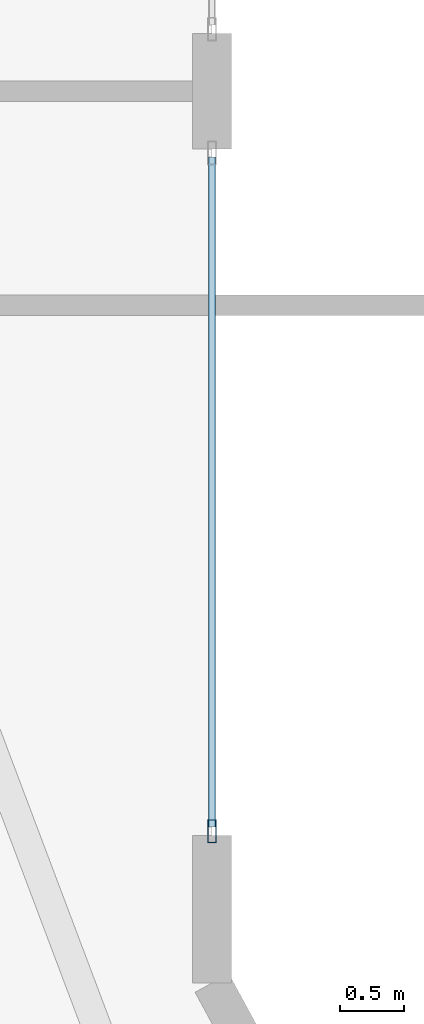
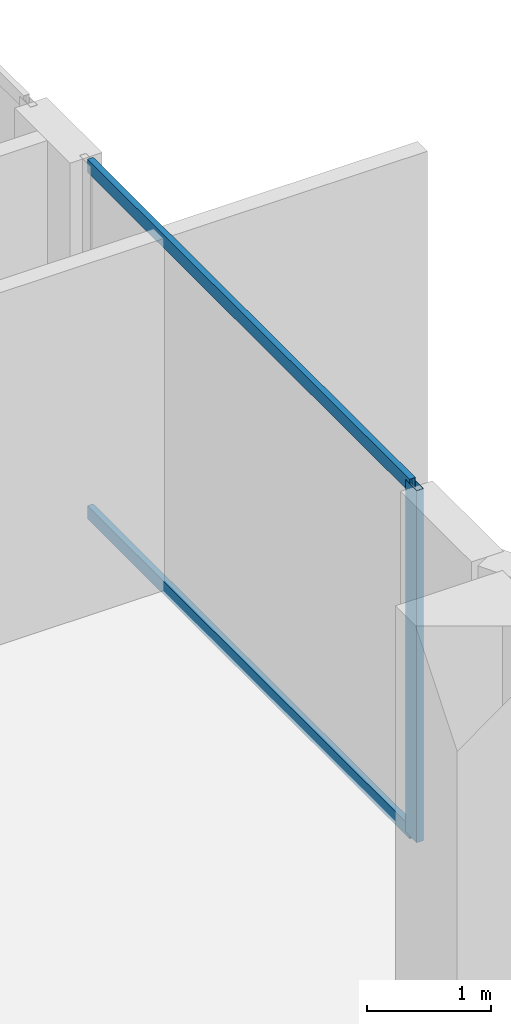
# One storey, part 11 of 26: 3 members, 1 element without a shape of its own.
"""IFC4 building model written with IfcOpenShell, lengths in metres."""

from ifc_helpers import new_model, si_unit, direction, frame, origin, origin_2d, place, context, subcontext, project, spatial, hollow_rectangle, extrude, material, layer, layer_set, material_profile, profile_set, type_object, element, aggregate, save


model = new_model("IFC4")

# Units and contexts
model_context = context("Model", 3, precision=1e-05, world=origin(), true_north=direction((0.0, 1.0)))
body_context = subcontext(model_context, "Body", "Model", "MODEL_VIEW")
ifc_project = project(units=[si_unit("LENGTHUNIT", "METRE"), si_unit("AREAUNIT", "SQUARE_METRE"), si_unit("VOLUMEUNIT", "CUBIC_METRE"), si_unit("PLANEANGLEUNIT", "RADIAN"), si_unit("MASSUNIT", "GRAM", prefix="KILO")], contexts=[model_context])

# Site, building, storey
site_placement = place(None, origin())
site = spatial("IfcSite", under=ifc_project, at=site_placement, CompositionType="ELEMENT")
building_placement = place(site_placement, origin())
building = spatial("IfcBuilding", under=site, at=building_placement, Name="Zuhayl Quay Hotel", CompositionType="ELEMENT")
storey_placement = place(building_placement, frame((0.0, 0.0, 247.050048828125)))
storey = spatial("IfcBuildingStorey", under=building, at=storey_placement, Name="L62", CompositionType="ELEMENT", Elevation=247.050048828125)

# Curtain wall, members
ifc_material_1 = material(Name="Anodised Aluminium 6063-T6", Category="aluminium")
ifc_layer = layer(ifc_material_1, 0.169921875, Name="Anodised Aluminium 6063-T6", Category="aluminium")
ifc_layer_set = layer_set([ifc_layer], Name="Anodised Aluminium 6063-T6")
curtain_wall_type = type_object("IfcCurtainWallType", Name="CW_SYS_Z4", PredefinedType="USERDEFINED", material=ifc_layer_set)
curtain_wall_placement = place(storey_placement, origin())
curtain_wall = element("IfcCurtainWall", 1, at=curtain_wall_placement, inside=storey, type_object=curtain_wall_type, Name="L62 Curtain Wall ENV_L62_E11_CW2", ObjectType="UNITISED CURTAIN WALL", PredefinedType="USERDEFINED")
ifc_material_2 = material(Name="Black-anodised aluminium 6063-T6", Category="aluminium")
ifc_material_profile_1 = material_profile(ifc_material_2, hollow_rectangle(XDim=0.06494140625, YDim=0.179931640625, WallThickness=0.00341796875, at=origin_2d()), Name="ALU180X65")
ifc_profile_set_1 = profile_set([ifc_material_profile_1], Name="Black-anodised aluminium 6063-T6")
member_type_1 = type_object("IfcMemberType", Name="MB_CW_MUL_180", PredefinedType="MULLION", material=ifc_profile_set_1)
member_1_placement = place(storey_placement, frame((20.199951171875, 25.282470703125, 0.0), z_axis=(0.0, 0.0, 1.0), x_axis=(1.0, 0.0, 0.0)))
member_1 = element("IfcMember", 2, at=member_1_placement, type_object=member_type_1, Name="CW-Z4 mullion 2", PredefinedType="MULLION", context=body_context, shape_type="SweptSolid", body=[
    extrude(hollow_rectangle(XDim=0.06494140625, YDim=0.179931640625, WallThickness=0.00341796875, at=origin_2d()), origin(), (0.0, 0.0, 1.0), 3.47998046875),
])
ifc_material_profile_2 = material_profile(ifc_material_2, hollow_rectangle(XDim=0.054931640625, YDim=0.1298828125, WallThickness=0.0029296875, at=origin_2d()), Name="ALU130X55")
ifc_profile_set_2 = profile_set([ifc_material_profile_2], Name="Black-anodised aluminium 6063-T6")
member_type_2 = type_object("IfcMemberType", Name="MB_CW_TRN_130", PredefinedType="USERDEFINED", material=ifc_profile_set_2)
member_2_placement = place(storey_placement, frame((20.199951171875, 30.534912109375, 0.02734375), z_axis=(0.0, -1.0, 0.0), x_axis=(1.0, 0.0, 0.0)))
member_2 = element("IfcMember", 3, at=member_2_placement, type_object=member_type_2, Name="CW-Z4 transom 1.1", ObjectType="TRANSOM", PredefinedType="USERDEFINED", context=body_context, shape_type="SweptSolid", body=[
    extrude(hollow_rectangle(XDim=0.054931640625, YDim=0.1298828125, WallThickness=0.0029296875, at=origin_2d()), origin(), (0.0, 0.0, 1.0), 5.219970703125),
])
member_3_placement = place(storey_placement, frame((20.199951171875, 30.534912109375, 3.452392578125), z_axis=(0.0, -1.0, 0.0), x_axis=(1.0, 0.0, 0.0)))
member_3 = element("IfcMember", 4, at=member_3_placement, type_object=member_type_2, Name="CW-Z4 transom 1.2", ObjectType="TRANSOM", PredefinedType="USERDEFINED", context=body_context, shape_type="SweptSolid", body=[
    extrude(hollow_rectangle(XDim=0.054931640625, YDim=0.1298828125, WallThickness=0.0029296875, at=origin_2d()), origin(), (0.0, 0.0, 1.0), 5.219970703125),
])
aggregate(curtain_wall, [member_1, member_2, member_3])

save(model, "model.ifc")
